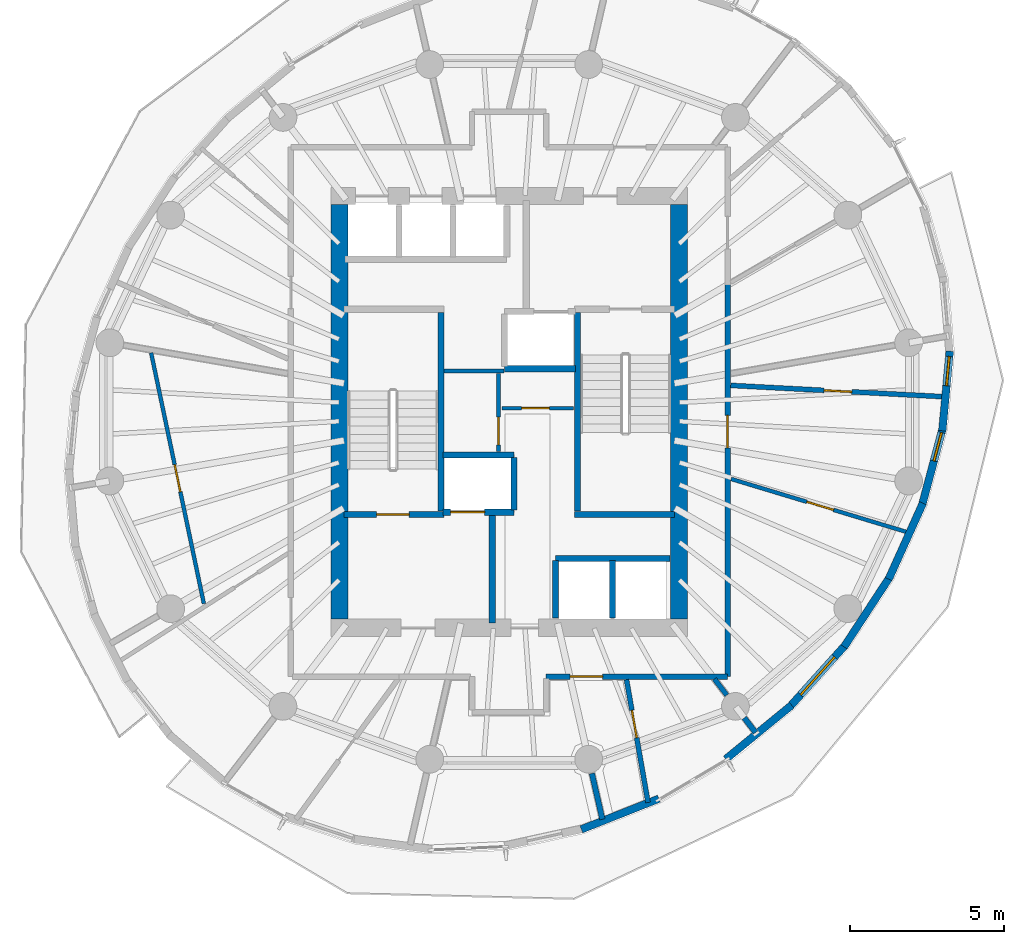
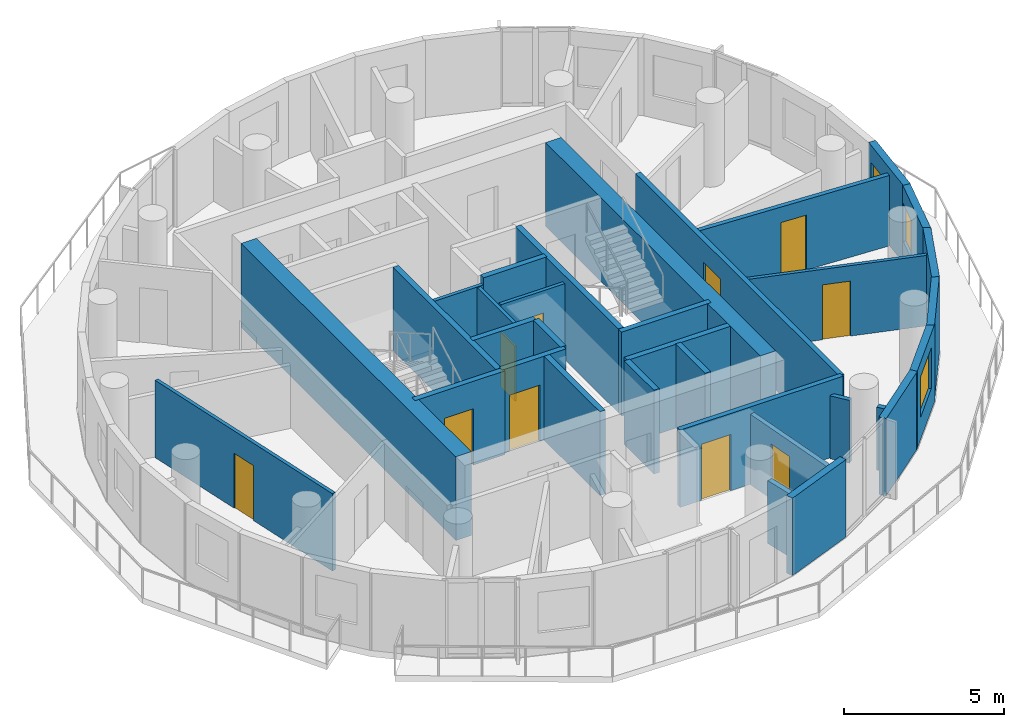
# One storey, part 5 of 10: 33 walls, 10 doors, 3 windows, 13 openings.
"""IFC4 building model written with IfcOpenShell, lengths in metres."""

from ifc_helpers import new_model, si_unit, direction, frame, frame_2d, origin, place, context, subcontext, project, spatial, rectangle, extrude, material, layer, layer_set, type_object, element, fill, save


model = new_model("IFC4")

# Units and contexts
model_context = context("Model", 3, precision=1e-05, world=origin(), true_north=direction((0.0, 1.0)))
body_context = subcontext(model_context, "Body", "Model", "MODEL_VIEW")
ifc_project = project(units=[si_unit("LENGTHUNIT", "METRE"), si_unit("AREAUNIT", "SQUARE_METRE"), si_unit("VOLUMEUNIT", "CUBIC_METRE"), si_unit("PLANEANGLEUNIT", "RADIAN"), si_unit("MASSUNIT", "GRAM", prefix="KILO")], contexts=[model_context])

# Site, building, storey
site_placement = place(None, origin())
site = spatial("IfcSite", under=ifc_project, at=site_placement, CompositionType="ELEMENT")
building_placement = place(site_placement, origin())
building = spatial("IfcBuilding", under=site, at=building_placement, Name="Veldorim Arch Residences", CompositionType="ELEMENT")
storey_placement = place(building_placement, frame((0.0, 0.0, 182.239990234375)))
storey = spatial("IfcBuildingStorey", under=building, at=storey_placement, Name="L54", CompositionType="ELEMENT", Elevation=182.239990234375)

# Wall, opening, door
ifc_material_1 = material(Name="Acoustic Gypsum Board", Category="gypsum")
ifc_layer_1 = layer(ifc_material_1, 0.125, Name="Acoustic Stud Room Partition Wall 125")
ifc_layer_set_1 = layer_set([ifc_layer_1], Name="Acoustic Gypsum Board")
wall_type_1 = type_object("IfcWallType", Name="Acoustic Stud Room Partition Wall 125", PredefinedType="PARTITIONING", material=ifc_layer_set_1)
wall_1_placement = place(storey_placement, frame((31.64990234375, 22.719970703125, 0.0), z_axis=(0.0, 0.0, 1.0), x_axis=(0.0, 1.0, 0.0)))
wall_1 = element("IfcWall", 1, at=wall_1_placement, inside=storey, type_object=wall_type_1, Name="L54 interior wall WL-CA-L54-1", PredefinedType="PARTITIONING", context=body_context, shape_type="SweptSolid", body=[
    extrude(rectangle(XDim=2.52001953125, YDim=0.125, at=frame_2d((1.260009765625, 0.0))), origin(), (0.0, 0.0, 1.0), 2.955078125),
])
opening_1_placement = place(wall_1_placement, frame((0.2099609375, 0.0, 0.0)))
opening_1 = element("IfcOpeningElement", 2, at=opening_1_placement, cuts=wall_1, Name="Opening DR-SVC", PredefinedType="OPENING", context=body_context, shape_type="SweptSolid", body=[
    extrude(rectangle(XDim=0.89990234375, YDim=2.10009765625, at=frame_2d((0.449951171875, 1.050048828125))), frame((0.0, 0.072509765625, 0.0), z_axis=(0.0, -1.0, 0.0), x_axis=(1.0, 0.0, 0.0)), (0.0, 0.0, 1.0), 0.14501953125),
])
ifc_material_2 = material(Name="Fire-Rated Steel", Category="steel")
door_type_1 = type_object("IfcDoorType", Name="Riser, Shelter & Plant Room Rated Steel Door 900x2100", OperationType="SINGLE_SWING_LEFT", PredefinedType="DOOR", material=ifc_material_2)
door_1_placement = place(opening_1_placement, origin())
door_1 = element("IfcDoor", 3, at=door_1_placement, inside=storey, type_object=door_type_1, Name="L54 interior door DR-L54-CA1", OperationType="SINGLE_SWING_LEFT", OverallHeight=2.10009765625, OverallWidth=0.89990234375, PredefinedType="DOOR", context=body_context, shape_type="SweptSolid", body=[
    extrude(rectangle(XDim=0.89990234375, YDim=2.10009765625, at=frame_2d((0.449951171875, 1.050048828125))), frame((0.0, 0.02490234375, 0.0), z_axis=(0.0, -1.0, 0.0), x_axis=(1.0, 0.0, 0.0)), (0.0, 0.0, 1.0), 0.050048828125),
])
fill(opening_1, door_1)

wall_2_placement = place(storey_placement, frame((31.760009765625, 24.1201171875, 0.0), z_axis=(0.0, 0.0, 1.0), x_axis=(1.0, 0.0, 0.0)))
wall_2 = element("IfcWall", 4, at=wall_2_placement, inside=storey, type_object=wall_type_1, Name="L54 interior wall WL-CA-L54-2", PredefinedType="PARTITIONING", context=body_context, shape_type="SweptSolid", body=[
    extrude(rectangle(XDim=2.320068359375, YDim=0.125, at=frame_2d((1.16015625, 0.0))), origin(), (0.0, 0.0, 1.0), 2.955078125),
])
opening_2_placement = place(wall_2_placement, frame((0.639892578125, 0.0, 0.0)))
opening_2 = element("IfcOpeningElement", 5, at=opening_2_placement, cuts=wall_2, Name="Opening DR-SVC", PredefinedType="OPENING", context=body_context, shape_type="SweptSolid", body=[
    extrude(rectangle(XDim=0.89990234375, YDim=2.10009765625, at=frame_2d((0.449951171875, 1.050048828125))), frame((0.0, 0.072509765625, 0.0), z_axis=(0.0, -1.0, 0.0), x_axis=(1.0, 0.0, 0.0)), (0.0, 0.0, 1.0), 0.14501953125),
])
door_2_placement = place(opening_2_placement, origin())
door_2 = element("IfcDoor", 6, at=door_2_placement, inside=storey, type_object=door_type_1, Name="L54 interior door DR-L54-CA2", OperationType="SINGLE_SWING_RIGHT", OverallHeight=2.10009765625, OverallWidth=0.89990234375, PredefinedType="DOOR", context=body_context, shape_type="SweptSolid", body=[
    extrude(rectangle(XDim=0.89990234375, YDim=2.10009765625, at=frame_2d((0.449951171875, 1.050048828125))), frame((0.0, 0.02490234375, 0.0), z_axis=(0.0, -1.0, 0.0), x_axis=(1.0, 0.0, 0.0)), (0.0, 0.0, 1.0), 0.050048828125),
])
fill(opening_2, door_2)

# Wall
wall_3_placement = place(storey_placement, frame((29.889892578125, 25.330078125, 0.0), z_axis=(0.0, 0.0, 1.0), x_axis=(1.0, 0.0, 0.0)))
element("IfcWall", 7, at=wall_3_placement, inside=storey, type_object=wall_type_1, Name="L54 interior wall WL-CA-L54-N", PredefinedType="PARTITIONING", context=body_context, shape_type="SweptSolid", body=[
    extrude(rectangle(XDim=1.940185546875, YDim=0.125, at=frame_2d((0.97021484375, 0.0))), origin(), (0.0, 0.0, 1.0), 2.955078125),
])

# Wall, opening, door
wall_4_placement = place(storey_placement, frame((44.96337890625, 20.0830078125, 0.0), z_axis=(0.0, 0.0, 1.0), x_axis=(-0.95726021897, 0.289228064298, 0.0)))
wall_4 = element("IfcWall", 8, at=wall_4_placement, inside=storey, type_object=wall_type_1, Name="L54 interior wall WL-RES-L54-020", PredefinedType="PARTITIONING", context=body_context, shape_type="SweptSolid", body=[
    extrude(rectangle(XDim=6.026123046875, YDim=0.125, at=frame_2d((3.01318359375, 0.0))), origin(), (0.0, 0.0, 1.0), 2.69189453125),
])
opening_3_placement = place(wall_4_placement, frame((2.56298828125, 0.0, 0.0)))
opening_3 = element("IfcOpeningElement", 9, at=opening_3_placement, cuts=wall_4, Name="Opening DR-INT", PredefinedType="OPENING", context=body_context, shape_type="SweptSolid", body=[
    extrude(rectangle(XDim=0.89990234375, YDim=2.10009765625, at=frame_2d((0.449951171875, 1.050048828125))), frame((0.0, 0.072509765625, 0.0), z_axis=(0.0, -1.0, 0.0), x_axis=(1.0, 0.0, 0.0)), (0.0, 0.0, 1.0), 0.14501953125),
])
ifc_material_3 = material(Name="Engineered Timber", Category="wood")
door_type_2 = type_object("IfcDoorType", Name="Apartment Internal Room Timber Door 900x2100", OperationType="SINGLE_SWING_LEFT", PredefinedType="DOOR", material=ifc_material_3)
door_3_placement = place(opening_3_placement, origin())
door_3 = element("IfcDoor", 10, at=door_3_placement, inside=storey, type_object=door_type_2, Name="L54 interior door DR-RES-L54-005", OperationType="SINGLE_SWING_LEFT", OverallHeight=2.10009765625, OverallWidth=0.89990234375, PredefinedType="DOOR", context=body_context, shape_type="SweptSolid", body=[
    extrude(rectangle(XDim=0.89990234375, YDim=2.10009765625, at=frame_2d((0.449951171875, 1.050048828125))), frame((0.0, 0.02490234375, 0.0), z_axis=(0.0, -1.0, 0.0), x_axis=(1.0, 0.0, 0.0)), (0.0, 0.0, 1.0), 0.050048828125),
])
fill(opening_3, door_3)

wall_5_placement = place(storey_placement, frame((22.10302734375, 17.78271484375, 0.0), z_axis=(0.0, 0.0, 1.0), x_axis=(-0.205746874797, 0.978605243963, 0.0)))
wall_5 = element("IfcWall", 11, at=wall_5_placement, inside=storey, type_object=wall_type_1, Name="L54 interior wall WL-RES-L54-032", PredefinedType="PARTITIONING", context=body_context, shape_type="SweptSolid", body=[
    extrude(rectangle(XDim=8.30859375, YDim=0.125, at=frame_2d((4.154296875, 0.0))), origin(), (0.0, 0.0, 1.0), 2.955078125),
])
opening_4_placement = place(wall_5_placement, frame((3.704345703125, 0.0, 0.0)))
opening_4 = element("IfcOpeningElement", 12, at=opening_4_placement, cuts=wall_5, Name="Opening DR-INT", PredefinedType="OPENING", context=body_context, shape_type="SweptSolid", body=[
    extrude(rectangle(XDim=0.89990234375, YDim=2.10009765625, at=frame_2d((0.449951171875, 1.050048828125))), frame((0.0, 0.072509765625, 0.0), z_axis=(0.0, -1.0, 0.0), x_axis=(1.0, 0.0, 0.0)), (0.0, 0.0, 1.0), 0.14501953125),
])
door_4_placement = place(opening_4_placement, origin())
door_4 = element("IfcDoor", 13, at=door_4_placement, inside=storey, type_object=door_type_2, Name="L54 interior door DR-RES-L54-017", OperationType="SINGLE_SWING_LEFT", OverallHeight=2.10009765625, OverallWidth=0.89990234375, PredefinedType="DOOR", context=body_context, shape_type="SweptSolid", body=[
    extrude(rectangle(XDim=0.89990234375, YDim=2.10009765625, at=frame_2d((0.449951171875, 1.050048828125))), frame((0.0, 0.02490234375, 0.0), z_axis=(0.0, -1.0, 0.0), x_axis=(1.0, 0.0, 0.0)), (0.0, 0.0, 1.0), 0.050048828125),
])
fill(opening_4, door_4)

# Walls
ifc_material_4 = material(Name="Lightweight Masonry Block & Gypsum", Category="masonry")
ifc_layer_2 = layer(ifc_material_4, 0.179931640625, Name="Compartment & Corridor Fire-Rated Party Wall 180")
ifc_layer_set_2 = layer_set([ifc_layer_2], Name="Lightweight Masonry Block & Gypsum")
wall_type_2 = type_object("IfcWallType", Name="Compartment & Corridor Fire-Rated Party Wall 180", PredefinedType="PARTITIONING", material=ifc_layer_set_2)
wall_6_placement = place(storey_placement, frame((34.679931640625, 12.282470703125, 0.0), z_axis=(0.0, 0.0, 1.0), x_axis=(0.222976920769, -0.974823723965, 0.0)))
element("IfcWall", 14, at=wall_6_placement, inside=storey, type_object=wall_type_2, Name="L54 interior wall WL-PIER-L54-13", PredefinedType="PARTITIONING", context=body_context, shape_type="SweptSolid", body=[
    extrude(rectangle(XDim=1.525146484375, YDim=0.179931640625, at=frame_2d((0.7626953125, 0.0))), origin(), (0.0, 0.0, 1.0), 2.4033203125),
])
wall_7_placement = place(storey_placement, frame((39.619873046875, 14.08203125, 0.0), z_axis=(0.0, 0.0, 1.0), x_axis=(0.609062571598, -0.793122174623, 0.0)))
element("IfcWall", 15, at=wall_7_placement, inside=storey, type_object=wall_type_2, Name="L54 interior wall WL-PIER-L54-14", PredefinedType="PARTITIONING", context=body_context, shape_type="SweptSolid", body=[
    extrude(rectangle(XDim=0.600830078125, YDim=0.179931640625, at=frame_2d((0.30029296875, 0.0))), origin(), (0.0, 0.0, 1.0), 2.4033203125),
])

# Wall, opening, door
wall_8_placement = place(storey_placement, frame((39.080078125, 15.419921875, 0.0), z_axis=(0.0, 0.0, 1.0), x_axis=(-1.0, 0.0, 0.0)))
wall_8 = element("IfcWall", 16, at=wall_8_placement, inside=storey, type_object=wall_type_2, Name="L54 interior wall WL-RES-L54-001", PredefinedType="PARTITIONING", context=body_context, shape_type="SweptSolid", body=[
    extrude(rectangle(XDim=5.880126953125, YDim=0.179931640625, at=frame_2d((2.93994140625, 0.0))), origin(), (0.0, 0.0, 1.0), 2.955078125),
])
opening_5_placement = place(wall_8_placement, frame((4.05224609375, 0.0, 0.0)))
opening_5 = element("IfcOpeningElement", 17, at=opening_5_placement, cuts=wall_8, Name="Opening DR-FLT", PredefinedType="OPENING", context=body_context, shape_type="SweptSolid", body=[
    extrude(rectangle(XDim=1.050048828125, YDim=2.14990234375, at=frame_2d((0.52490234375, 1.074951171875))), frame((0.0, 0.099853515625, 0.0), z_axis=(0.0, -1.0, 0.0), x_axis=(1.0, 0.0, 0.0)), (0.0, 0.0, 1.0), 0.199951171875),
])
ifc_material_5 = material(Name="Fire-Rated Timber", Category="wood")
door_type_3 = type_object("IfcDoorType", Name="Apartment Entrance Solid-Core Fire Door 1050x2150", OperationType="SINGLE_SWING_LEFT", PredefinedType="DOOR", material=ifc_material_5)
door_5_placement = place(opening_5_placement, origin())
door_5 = element("IfcDoor", 18, at=door_5_placement, inside=storey, type_object=door_type_3, Name="L54 interior door DR-RES-L54-001", OperationType="SINGLE_SWING_LEFT", OverallHeight=2.14990234375, OverallWidth=1.050048828125, PredefinedType="DOOR", context=body_context, shape_type="SweptSolid", body=[
    extrude(rectangle(XDim=1.050048828125, YDim=2.14990234375, at=frame_2d((0.52490234375, 1.074951171875))), frame((0.0, 0.02490234375, 0.0), z_axis=(0.0, -1.0, 0.0), x_axis=(1.0, 0.0, 0.0)), (0.0, 0.0, 1.0), 0.050048828125),
])
fill(opening_5, door_5)

wall_9_placement = place(storey_placement, frame((39.080078125, 28.155517578125, 0.0), z_axis=(0.0, 0.0, 1.0), x_axis=(0.0, -1.0, 0.0)))
wall_9 = element("IfcWall", 19, at=wall_9_placement, inside=storey, type_object=wall_type_2, Name="L54 interior wall WL-RES-L54-006", PredefinedType="PARTITIONING", context=body_context, shape_type="SweptSolid", body=[
    extrude(rectangle(XDim=12.735595703125, YDim=0.179931640625, at=frame_2d((6.36767578125, 0.0))), origin(), (0.0, 0.0, 1.0), 2.955078125),
])
opening_6_placement = place(wall_9_placement, frame((4.268798828125, 0.0, 0.0)))
opening_6 = element("IfcOpeningElement", 20, at=opening_6_placement, cuts=wall_9, Name="Opening DR-FLT", PredefinedType="OPENING", context=body_context, shape_type="SweptSolid", body=[
    extrude(rectangle(XDim=1.050048828125, YDim=2.14990234375, at=frame_2d((0.52490234375, 1.074951171875))), frame((0.0, 0.099853515625, 0.0), z_axis=(0.0, -1.0, 0.0), x_axis=(1.0, 0.0, 0.0)), (0.0, 0.0, 1.0), 0.199951171875),
])
door_6_placement = place(opening_6_placement, origin())
door_6 = element("IfcDoor", 21, at=door_6_placement, inside=storey, type_object=door_type_3, Name="L54 interior door DR-RES-L54-003", OperationType="SINGLE_SWING_LEFT", OverallHeight=2.14990234375, OverallWidth=1.050048828125, PredefinedType="DOOR", context=body_context, shape_type="SweptSolid", body=[
    extrude(rectangle(XDim=1.050048828125, YDim=2.14990234375, at=frame_2d((0.52490234375, 1.074951171875))), frame((0.0, 0.02490234375, 0.0), z_axis=(0.0, -1.0, 0.0), x_axis=(1.0, 0.0, 0.0)), (0.0, 0.0, 1.0), 0.050048828125),
])
fill(opening_6, door_6)

# Wall
ifc_material_6 = material(Name="Concrete C50/60", Category="concrete")
ifc_layer_3 = layer(ifc_material_6, 0.199951171875, Name="Core Stair & Lift Shaft Enclosure Wall 200")
ifc_layer_set_3 = layer_set([ifc_layer_3], Name="Concrete C50/60")
wall_type_3 = type_object("IfcWallType", Name="Core Stair & Lift Shaft Enclosure Wall 200", PredefinedType="SHEAR", material=ifc_layer_set_3)
wall_10_placement = place(storey_placement, frame((29.7900390625, 20.780029296875, 0.0), z_axis=(0.0, 0.0, 1.0), x_axis=(0.0, 1.0, 0.0)))
element("IfcWall", 22, at=wall_10_placement, inside=storey, type_object=wall_type_3, Name="L54 shaft wall WL-SHF-L54-ST1-E", PredefinedType="SHEAR", context=body_context, shape_type="SweptSolid", body=[
    extrude(rectangle(XDim=6.43994140625, YDim=0.199951171875, at=frame_2d((3.219970703125, 0.0))), origin(), (0.0, 0.0, 1.0), 3.199951171875),
])

# Wall, opening, door
wall_11_placement = place(storey_placement, frame((26.64990234375, 20.669921875, 0.0), z_axis=(0.0, 0.0, 1.0), x_axis=(1.0, 0.0, 0.0)))
wall_11 = element("IfcWall", 23, at=wall_11_placement, inside=storey, type_object=wall_type_3, Name="L54 shaft wall WL-SHF-L54-ST1-S", PredefinedType="SHEAR", context=body_context, shape_type="SweptSolid", body=[
    extrude(rectangle(XDim=3.239990234375, YDim=0.199951171875, at=frame_2d((1.6201171875, 0.0))), origin(), (0.0, 0.0, 1.0), 3.199951171875),
])
opening_7_placement = place(wall_11_placement, frame((1.054931640625, 0.0, 0.0)))
opening_7 = element("IfcOpeningElement", 24, at=opening_7_placement, cuts=wall_11, Name="Opening DR-ST", PredefinedType="OPENING", context=body_context, shape_type="SweptSolid", body=[
    extrude(rectangle(XDim=1.050048828125, YDim=2.14990234375, at=frame_2d((0.52490234375, 1.074951171875))), frame((0.0, 0.10986328125, 0.0), z_axis=(0.0, -1.0, 0.0), x_axis=(1.0, 0.0, 0.0)), (0.0, 0.0, 1.0), 0.219970703125),
])
ifc_material_7 = material(Name="Fire-Rated Steel", Category="steel")
door_type_4 = type_object("IfcDoorType", Name="Exit Staircase Self-Closing Fire Door 1050x2150", OperationType="SINGLE_SWING_LEFT", PredefinedType="DOOR", material=ifc_material_7)
door_7_placement = place(opening_7_placement, origin())
door_7 = element("IfcDoor", 25, at=door_7_placement, inside=storey, type_object=door_type_4, Name="L54 interior door DR-L54-ST1", OperationType="SINGLE_SWING_LEFT", OverallHeight=2.14990234375, OverallWidth=1.050048828125, PredefinedType="DOOR", context=body_context, shape_type="SweptSolid", body=[
    extrude(rectangle(XDim=1.050048828125, YDim=2.14990234375, at=frame_2d((0.52490234375, 1.074951171875))), frame((0.0, 0.02490234375, 0.0), z_axis=(0.0, -1.0, 0.0), x_axis=(1.0, 0.0, 0.0)), (0.0, 0.0, 1.0), 0.050048828125),
])
fill(opening_7, door_7)

# Walls
wall_12_placement = place(storey_placement, frame((34.2099609375, 20.780029296875, 0.0), z_axis=(0.0, 0.0, 1.0), x_axis=(0.0, 1.0, 0.0)))
element("IfcWall", 26, at=wall_12_placement, inside=storey, type_object=wall_type_3, Name="L54 shaft wall WL-SHF-L54-ST2-W", PredefinedType="SHEAR", context=body_context, shape_type="SweptSolid", body=[
    extrude(rectangle(XDim=6.43994140625, YDim=0.199951171875, at=frame_2d((3.219970703125, 0.0))), origin(), (0.0, 0.0, 1.0), 3.199951171875),
])
wall_13_placement = place(storey_placement, frame((34.110107421875, 20.669921875, 0.0), z_axis=(0.0, 0.0, 1.0), x_axis=(1.0, 0.0, 0.0)))
element("IfcWall", 27, at=wall_13_placement, inside=storey, type_object=wall_type_3, Name="L54 shaft wall WL-SHF-L54-ST2-S", PredefinedType="SHEAR", context=body_context, shape_type="SweptSolid", body=[
    extrude(rectangle(XDim=3.239990234375, YDim=0.199951171875, at=frame_2d((1.6201171875, 0.0))), origin(), (0.0, 0.0, 1.0), 3.199951171875),
])
wall_14_placement = place(storey_placement, frame((31.449951171875, 17.14990234375, 0.0), z_axis=(0.0, 0.0, 1.0), x_axis=(0.0, 1.0, 0.0)))
element("IfcWall", 28, at=wall_14_placement, inside=storey, type_object=wall_type_3, Name="L54 shaft wall WL-FFL1-L54-E", PredefinedType="SHEAR", context=body_context, shape_type="SweptSolid", body=[
    extrude(rectangle(XDim=3.5, YDim=0.199951171875, at=frame_2d((1.75, 0.0))), origin(), (0.0, 0.0, 1.0), 3.199951171875),
])

# Wall, opening, door
wall_15_placement = place(storey_placement, frame((29.85009765625, 20.75, 0.0), z_axis=(0.0, 0.0, 1.0), x_axis=(1.0, 0.0, 0.0)))
wall_15 = element("IfcWall", 29, at=wall_15_placement, inside=storey, type_object=wall_type_3, Name="L54 shaft wall WL-FL01-L54-S", PredefinedType="SHEAR", context=body_context, shape_type="SweptSolid", body=[
    extrude(rectangle(XDim=2.2998046875, YDim=0.199951171875, at=frame_2d((1.14990234375, 0.0))), origin(), (0.0, 0.0, 1.0), 3.199951171875),
])
opening_8_placement = place(wall_15_placement, frame((0.25, 0.0, 0.0)))
opening_8 = element("IfcOpeningElement", 30, at=opening_8_placement, cuts=wall_15, Name="Opening LD-FF", PredefinedType="OPENING", context=body_context, shape_type="SweptSolid", body=[
    extrude(rectangle(XDim=1.10009765625, YDim=2.14990234375, at=frame_2d((0.550048828125, 1.074951171875))), frame((0.0, 0.10986328125, 0.0), z_axis=(0.0, -1.0, 0.0), x_axis=(1.0, 0.0, 0.0)), (0.0, 0.0, 1.0), 0.219970703125),
])
ifc_material_8 = material(Name="Stainless Steel", Category="steel")
door_type_5 = type_object("IfcDoorType", Name="Firefighting Lift Bi-Parting Sliding Landing Door 1100x2150", OperationType="DOUBLE_DOOR_SLIDING", PredefinedType="DOOR", material=ifc_material_8)
door_8_placement = place(opening_8_placement, origin())
door_8 = element("IfcDoor", 31, at=door_8_placement, inside=storey, type_object=door_type_5, Name="L54 lift landing door LD-L54-FL01", OperationType="DOUBLE_DOOR_SLIDING", OverallHeight=2.14990234375, OverallWidth=1.10009765625, PredefinedType="DOOR", context=body_context, shape_type="SweptSolid", body=[
    extrude(rectangle(XDim=1.10009765625, YDim=2.14990234375, at=frame_2d((0.550048828125, 1.074951171875))), frame((0.0, 0.02490234375, 0.0), z_axis=(0.0, -1.0, 0.0), x_axis=(1.0, 0.0, 0.0)), (0.0, 0.0, 1.0), 0.050048828125),
])
fill(opening_8, door_8)

# Walls
wall_16_placement = place(storey_placement, frame((29.85009765625, 22.60009765625, 0.0), z_axis=(0.0, 0.0, 1.0), x_axis=(1.0, 0.0, 0.0)))
element("IfcWall", 32, at=wall_16_placement, inside=storey, type_object=wall_type_3, Name="L54 shaft wall WL-FL01-L54-N", PredefinedType="SHEAR", context=body_context, shape_type="SweptSolid", body=[
    extrude(rectangle(XDim=2.2998046875, YDim=0.199951171875, at=frame_2d((1.14990234375, 0.0))), origin(), (0.0, 0.0, 1.0), 3.199951171875),
])
wall_17_placement = place(storey_placement, frame((32.14990234375, 20.820068359375, 0.0), z_axis=(0.0, 0.0, 1.0), x_axis=(0.0, 1.0, 0.0)))
element("IfcWall", 33, at=wall_17_placement, inside=storey, type_object=wall_type_3, Name="L54 shaft wall WL-FL01-L54-E", PredefinedType="SHEAR", context=body_context, shape_type="SweptSolid", body=[
    extrude(rectangle(XDim=1.7099609375, YDim=0.199951171875, at=frame_2d((0.85498046875, 0.0))), origin(), (0.0, 0.0, 1.0), 3.199951171875),
])
wall_18_placement = place(storey_placement, frame((31.85009765625, 25.39990234375, 0.0), z_axis=(0.0, 0.0, 1.0), x_axis=(1.0, 0.0, 0.0)))
element("IfcWall", 34, at=wall_18_placement, inside=storey, type_object=wall_type_3, Name="L54 shaft wall WL-FL02-L54-S", PredefinedType="SHEAR", context=body_context, shape_type="SweptSolid", body=[
    extrude(rectangle(XDim=2.2998046875, YDim=0.199951171875, at=frame_2d((1.14990234375, 0.0))), origin(), (0.0, 0.0, 1.0), 3.199951171875),
])
wall_19_placement = place(storey_placement, frame((33.5, 19.25, 0.0), z_axis=(0.0, 0.0, 1.0), x_axis=(1.0, 0.0, 0.0)))
element("IfcWall", 35, at=wall_19_placement, inside=storey, type_object=wall_type_3, Name="L54 shaft wall WL-OL-L54-N", PredefinedType="SHEAR", context=body_context, shape_type="SweptSolid", body=[
    extrude(rectangle(XDim=3.719970703125, YDim=0.199951171875, at=frame_2d((1.85986328125, 0.0))), origin(), (0.0, 0.0, 1.0), 3.199951171875),
])
for number, where, z_axis, x_axis, name in (
    (36, (33.5, 17.320068359375, 0.0), (0.0, 0.0, 1.0), (0.0, 1.0, 0.0), "L54 shaft wall WL-OL-L54-W"),
    (37, (35.35009765625, 17.320068359375, 0.0), (0.0, 0.0, 1.0), (0.0, 1.0, 0.0), "L54 shaft wall WL-OL-L54-D1"),
):
    element("IfcWall", number, at=place(storey_placement, frame(where, z_axis=z_axis, x_axis=x_axis)), inside=storey, type_object=wall_type_3, Name=name, PredefinedType="SHEAR", context=body_context, shape_type="SweptSolid", body=[
        extrude(rectangle(XDim=1.85986328125, YDim=0.199951171875, at=frame_2d((0.929931640625, 0.0))), origin(), (0.0, 0.0, 1.0), 3.199951171875),
    ])
ifc_material_9 = material(Name="Precast concrete C40/50", Category="concrete")
ifc_layer_4 = layer(ifc_material_9, 0.25, Name="Tower Terracotta Spandrel & Pier Wall 250")
ifc_layer_set_4 = layer_set([ifc_layer_4], Name="Precast concrete C40/50")
wall_type_4 = type_object("IfcWallType", Name="Tower Terracotta Spandrel & Pier Wall 250", PredefinedType="SOLIDWALL", material=ifc_layer_set_4)
wall_20_placement = place(storey_placement, frame((36.850830078125, 11.4619140625, 0.0), z_axis=(0.0, 0.0, 1.0), x_axis=(-0.929693178164, -0.368334894459, 0.0)))
element("IfcWall", 38, at=wall_20_placement, inside=storey, type_object=wall_type_4, Name="L54 terracotta facade wall 25", PredefinedType="SOLIDWALL", context=body_context, shape_type="SweptSolid", body=[
    extrude(rectangle(XDim=2.70166015625, YDim=0.25, at=frame_2d((1.350830078125, 0.0))), origin(), (0.0, 0.0, 1.0), 2.9599609375),
])
wall_21_placement = place(storey_placement, frame((41.15478515625, 14.4921875, 0.0), z_axis=(0.0, 0.0, 1.0), x_axis=(-0.773491700486, -0.633806428872, 0.0)))
element("IfcWall", 39, at=wall_21_placement, inside=storey, type_object=wall_type_4, Name="L54 terracotta facade wall 27", PredefinedType="SOLIDWALL", context=body_context, shape_type="SweptSolid", body=[
    extrude(rectangle(XDim=2.758056640625, YDim=0.25, at=frame_2d((1.37890625, 0.0))), origin(), (0.0, 0.0, 1.0), 2.9599609375),
])

# Wall, opening, window
wall_22_placement = place(storey_placement, frame((42.920654296875, 16.467529296875, 0.0), z_axis=(0.0, 0.0, 1.0), x_axis=(-0.668764193685, -0.743474581438, 0.0)))
wall_22 = element("IfcWall", 40, at=wall_22_placement, inside=storey, type_object=wall_type_4, Name="L54 terracotta facade wall 28", PredefinedType="SOLIDWALL", context=body_context, shape_type="SweptSolid", body=[
    extrude(rectangle(XDim=2.758056640625, YDim=0.25, at=frame_2d((1.37890625, 0.0))), origin(), (0.0, 0.0, 1.0), 2.9599609375),
])
opening_9_placement = place(wall_22_placement, frame((0.553955078125, 0.0, 0.85009765625)))
opening_9 = element("IfcOpeningElement", 41, at=opening_9_placement, cuts=wall_22, Name="Opening WN-03", PredefinedType="OPENING", context=body_context, shape_type="SweptSolid", body=[
    extrude(rectangle(XDim=1.64990234375, YDim=1.550048828125, at=frame_2d((0.824951171875, 0.77490234375))), frame((0.0, 0.135009765625, 0.0), z_axis=(0.0, -1.0, 0.0), x_axis=(1.0, 0.0, 0.0)), (0.0, 0.0, 1.0), 0.27001953125),
])
ifc_material_10 = material(Name="Laminated Low-E Glass", Category="glass")
window_type_1 = type_object("IfcWindowType", Name="Residential Wide Window 1650x1550", PartitioningType="SINGLE_PANEL", PredefinedType="WINDOW", material=ifc_material_10)
window_1_placement = place(opening_9_placement, origin())
window_1 = element("IfcWindow", 42, at=window_1_placement, inside=storey, type_object=window_type_1, Name="L54 solar-control facade window 28", OverallHeight=1.550048828125, OverallWidth=1.64990234375, PartitioningType="SINGLE_PANEL", PredefinedType="WINDOW", context=body_context, shape_type="SweptSolid", body=[
    extrude(rectangle(XDim=1.64990234375, YDim=1.550048828125, at=frame_2d((0.824951171875, 0.77490234375))), frame((0.0, 0.030029296875, 0.0), z_axis=(0.0, -1.0, 0.0), x_axis=(1.0, 0.0, 0.0)), (0.0, 0.0, 1.0), 0.06005859375),
])
fill(opening_9, window_1)

# Walls
wall_23_placement = place(storey_placement, frame((44.35400390625, 18.672607421875, 0.0), z_axis=(0.0, 0.0, 1.0), x_axis=(-0.547664848596, -0.83669780304, 0.0)))
element("IfcWall", 43, at=wall_23_placement, inside=storey, type_object=wall_type_4, Name="L54 terracotta facade wall 29", PredefinedType="SOLIDWALL", context=body_context, shape_type="SweptSolid", body=[
    extrude(rectangle(XDim=2.738525390625, YDim=0.25, at=frame_2d((1.369140625, 0.0))), origin(), (0.0, 0.0, 1.0), 2.9599609375),
])
wall_24_placement = place(storey_placement, frame((45.410888671875, 21.0400390625, 0.0), z_axis=(0.0, 0.0, 1.0), x_axis=(-0.410736648959, -0.911754026699, 0.0)))
element("IfcWall", 44, at=wall_24_placement, inside=storey, type_object=wall_type_4, Name="L54 terracotta facade wall 30", PredefinedType="SOLIDWALL", context=body_context, shape_type="SweptSolid", body=[
    extrude(rectangle(XDim=2.701416015625, YDim=0.25, at=frame_2d((1.3505859375, 0.0))), origin(), (0.0, 0.0, 1.0), 2.9599609375),
])

# Wall, opening, window
wall_25_placement = place(storey_placement, frame((46.059814453125, 23.497314453125, 0.0), z_axis=(0.0, 0.0, 1.0), x_axis=(-0.258688517816, -0.965960791518, 0.0)))
wall_25 = element("IfcWall", 45, at=wall_25_placement, inside=storey, type_object=wall_type_4, Name="L54 terracotta facade wall 31", PredefinedType="SOLIDWALL", context=body_context, shape_type="SweptSolid", body=[
    extrude(rectangle(XDim=2.651123046875, YDim=0.25, at=frame_2d((1.32568359375, 0.0))), origin(), (0.0, 0.0, 1.0), 2.9599609375),
])
opening_10_placement = place(wall_25_placement, frame((0.175048828125, 0.0, 0.85009765625)))
opening_10 = element("IfcOpeningElement", 46, at=opening_10_placement, cuts=wall_25, Name="Opening WN-05", PredefinedType="OPENING", context=body_context, shape_type="SweptSolid", body=[
    extrude(rectangle(XDim=0.949951171875, YDim=1.449951171875, at=frame_2d((0.47509765625, 0.72509765625))), frame((0.0, 0.135009765625, 0.0), z_axis=(0.0, -1.0, 0.0), x_axis=(1.0, 0.0, 0.0)), (0.0, 0.0, 1.0), 0.27001953125),
])
ifc_material_11 = material(Name="Laminated Low-E Glass", Category="glass")
window_type_2 = type_object("IfcWindowType", Name="Residential Compact Casement Window 950x1450", PartitioningType="SINGLE_PANEL", PredefinedType="WINDOW", material=ifc_material_11)
window_2_placement = place(opening_10_placement, origin())
window_2 = element("IfcWindow", 47, at=window_2_placement, inside=storey, type_object=window_type_2, Name="L54 solar-control facade window 31", OverallHeight=1.449951171875, OverallWidth=0.949951171875, PartitioningType="SINGLE_PANEL", PredefinedType="WINDOW", context=body_context, shape_type="SweptSolid", body=[
    extrude(rectangle(XDim=0.949951171875, YDim=1.449951171875, at=frame_2d((0.47509765625, 0.72509765625))), frame((0.0, 0.030029296875, 0.0), z_axis=(0.0, -1.0, 0.0), x_axis=(1.0, 0.0, 0.0)), (0.0, 0.0, 1.0), 0.06005859375),
])
fill(opening_10, window_2)

wall_26_placement = place(storey_placement, frame((46.2802734375, 25.969482421875, 0.0), z_axis=(0.0, 0.0, 1.0), x_axis=(-0.092582110032, -0.995705053167, 0.0)))
wall_26 = element("IfcWall", 48, at=wall_26_placement, inside=storey, type_object=wall_type_4, Name="L54 terracotta facade wall 32", PredefinedType="SOLIDWALL", context=body_context, shape_type="SweptSolid", body=[
    extrude(rectangle(XDim=2.59228515625, YDim=0.25, at=frame_2d((1.296142578125, 0.0))), origin(), (0.0, 0.0, 1.0), 2.9599609375),
])
opening_11_placement = place(wall_26_placement, frame((0.175048828125, 0.0, 0.85009765625)))
opening_11 = element("IfcOpeningElement", 49, at=opening_11_placement, cuts=wall_26, Name="Opening WN-05", PredefinedType="OPENING", context=body_context, shape_type="SweptSolid", body=[
    extrude(rectangle(XDim=0.949951171875, YDim=1.449951171875, at=frame_2d((0.47509765625, 0.72509765625))), frame((0.0, 0.135009765625, 0.0), z_axis=(0.0, -1.0, 0.0), x_axis=(1.0, 0.0, 0.0)), (0.0, 0.0, 1.0), 0.27001953125),
])
window_3_placement = place(opening_11_placement, origin())
window_3 = element("IfcWindow", 50, at=window_3_placement, inside=storey, type_object=window_type_2, Name="L54 solar-control facade window 32", OverallHeight=1.449951171875, OverallWidth=0.949951171875, PartitioningType="SINGLE_PANEL", PredefinedType="WINDOW", context=body_context, shape_type="SweptSolid", body=[
    extrude(rectangle(XDim=0.949951171875, YDim=1.449951171875, at=frame_2d((0.47509765625, 0.72509765625))), frame((0.0, 0.030029296875, 0.0), z_axis=(0.0, -1.0, 0.0), x_axis=(1.0, 0.0, 0.0)), (0.0, 0.0, 1.0), 0.06005859375),
])
fill(opening_11, window_3)

# Walls
ifc_material_12 = material(Name="Concrete C50/60", Category="concrete")
ifc_layer_5 = layer(ifc_material_12, 0.5, Name="Upper Central Core Shear Wall 560")
ifc_layer_set_5 = layer_set([ifc_layer_5], Name="Concrete C50/60")
wall_type_5 = type_object("IfcWallType", Name="Upper Central Core Shear Wall 560", PredefinedType="SHEAR", material=ifc_layer_set_5)
for number, where, z_axis, x_axis, name in (
    (51, (26.5, 17.280029296875, 0.0), (0.0, 0.0, 1.0), (0.0, 1.0, 0.0), "L54 central core west shear wall"),
    (52, (37.5, 17.280029296875, 0.0), (0.0, 0.0, 1.0), (0.0, 1.0, 0.0), "L54 central core east shear wall"),
):
    element("IfcWall", number, at=place(storey_placement, frame(where, z_axis=z_axis, x_axis=x_axis)), inside=storey, type_object=wall_type_5, Name=name, PredefinedType="SHEAR", context=body_context, shape_type="SweptSolid", body=[
        extrude(rectangle(XDim=13.43994140625, YDim=0.56005859375, at=frame_2d((6.719970703125, 0.0))), origin(), (0.0, 0.0, 1.0), 3.199951171875),
    ])

# Wall, opening, door
ifc_material_13 = material(Name="Moisture-Resistant Gypsum & Stud", Category="gypsum")
ifc_layer_6 = layer(ifc_material_13, 0.159912109375, Name="Wet-Area Moisture-Resistant Plumbing Wall 160")
ifc_layer_set_6 = layer_set([ifc_layer_6], Name="Moisture-Resistant Gypsum & Stud")
wall_type_6 = type_object("IfcWallType", Name="Wet-Area Moisture-Resistant Plumbing Wall 160", PredefinedType="PLUMBINGWALL", material=ifc_layer_set_6)
wall_27_placement = place(storey_placement, frame((35.802490234375, 15.321533203125, 0.0), z_axis=(0.0, 0.0, 1.0), x_axis=(0.172579535558, -0.98499558573, 0.0)))
wall_27 = element("IfcWall", 53, at=wall_27_placement, inside=storey, type_object=wall_type_6, Name="L54 interior wall WL-RES-L54-016", PredefinedType="PLUMBINGWALL", context=body_context, shape_type="SweptSolid", body=[
    extrude(rectangle(XDim=4.04296875, YDim=0.159912109375, at=frame_2d((2.021484375, 0.0))), origin(), (0.0, 0.0, 1.0), 2.69189453125),
])
opening_12_placement = place(wall_27_placement, frame((1.011474609375, 0.0, 0.0)))
opening_12 = element("IfcOpeningElement", 54, at=opening_12_placement, cuts=wall_27, Name="Opening DR-WC", PredefinedType="OPENING", context=body_context, shape_type="SweptSolid", body=[
    extrude(rectangle(XDim=0.89990234375, YDim=2.10009765625, at=frame_2d((0.449951171875, 1.050048828125))), frame((0.0, 0.08984375, 0.0), z_axis=(0.0, -1.0, 0.0), x_axis=(1.0, 0.0, 0.0)), (0.0, 0.0, 1.0), 0.179931640625),
])
ifc_material_14 = material(Name="Laminate Timber", Category="wood")
door_type_6 = type_object("IfcDoorType", Name="Bathroom & Accessible WC Moisture-Sealed Door 900x2100", OperationType="SINGLE_SWING_LEFT", PredefinedType="DOOR", material=ifc_material_14)
door_9_placement = place(opening_12_placement, origin())
door_9 = element("IfcDoor", 55, at=door_9_placement, inside=storey, type_object=door_type_6, Name="L54 interior door DR-RES-L54-002", OperationType="SINGLE_SWING_RIGHT", OverallHeight=2.10009765625, OverallWidth=0.89990234375, PredefinedType="DOOR", context=body_context, shape_type="SweptSolid", body=[
    extrude(rectangle(XDim=0.89990234375, YDim=2.10009765625, at=frame_2d((0.449951171875, 1.050048828125))), frame((0.0, 0.02490234375, 0.0), z_axis=(0.0, -1.0, 0.0), x_axis=(1.0, 0.0, 0.0)), (0.0, 0.0, 1.0), 0.050048828125),
])
fill(opening_12, door_9)

# Wall
wall_28_placement = place(storey_placement, frame((38.65283203125, 15.3408203125, 0.0), z_axis=(0.0, 0.0, 1.0), x_axis=(0.609101063055, -0.79309261438, 0.0)))
element("IfcWall", 56, at=wall_28_placement, inside=storey, type_object=wall_type_6, Name="L54 interior wall WL-RES-L54-018", PredefinedType="PLUMBINGWALL", context=body_context, shape_type="SweptSolid", body=[
    extrude(rectangle(XDim=0.658203125, YDim=0.159912109375, at=frame_2d((0.3291015625, 0.0))), origin(), (0.0, 0.0, 1.0), 2.4033203125),
])

# Wall, opening, door
wall_29_placement = place(storey_placement, frame((39.179931640625, 24.8583984375, 0.0), z_axis=(0.0, 0.0, 1.0), x_axis=(0.998597105279, -0.05295112207, 0.0)))
wall_29 = element("IfcWall", 57, at=wall_29_placement, inside=storey, type_object=wall_type_6, Name="L54 interior wall WL-RES-L54-019", PredefinedType="PLUMBINGWALL", context=body_context, shape_type="SweptSolid", body=[
    extrude(rectangle(XDim=6.95751953125, YDim=0.159912109375, at=frame_2d((3.478759765625, 0.0))), origin(), (0.0, 0.0, 1.0), 2.69189453125),
])
opening_13_placement = place(wall_29_placement, frame((3.02880859375, 0.0, 0.0)))
opening_13 = element("IfcOpeningElement", 58, at=opening_13_placement, cuts=wall_29, Name="Opening DR-WC", PredefinedType="OPENING", context=body_context, shape_type="SweptSolid", body=[
    extrude(rectangle(XDim=0.89990234375, YDim=2.10009765625, at=frame_2d((0.449951171875, 1.050048828125))), frame((0.0, 0.08984375, 0.0), z_axis=(0.0, -1.0, 0.0), x_axis=(1.0, 0.0, 0.0)), (0.0, 0.0, 1.0), 0.179931640625),
])
door_10_placement = place(opening_13_placement, origin())
door_10 = element("IfcDoor", 59, at=door_10_placement, inside=storey, type_object=door_type_6, Name="L54 interior door DR-RES-L54-004", OperationType="SINGLE_SWING_RIGHT", OverallHeight=2.10009765625, OverallWidth=0.89990234375, PredefinedType="DOOR", context=body_context, shape_type="SweptSolid", body=[
    extrude(rectangle(XDim=0.89990234375, YDim=2.10009765625, at=frame_2d((0.449951171875, 1.050048828125))), frame((0.0, 0.02490234375, 0.0), z_axis=(0.0, -1.0, 0.0), x_axis=(1.0, 0.0, 0.0)), (0.0, 0.0, 1.0), 0.050048828125),
])
fill(opening_13, door_10)

save(model, "model.ifc")
